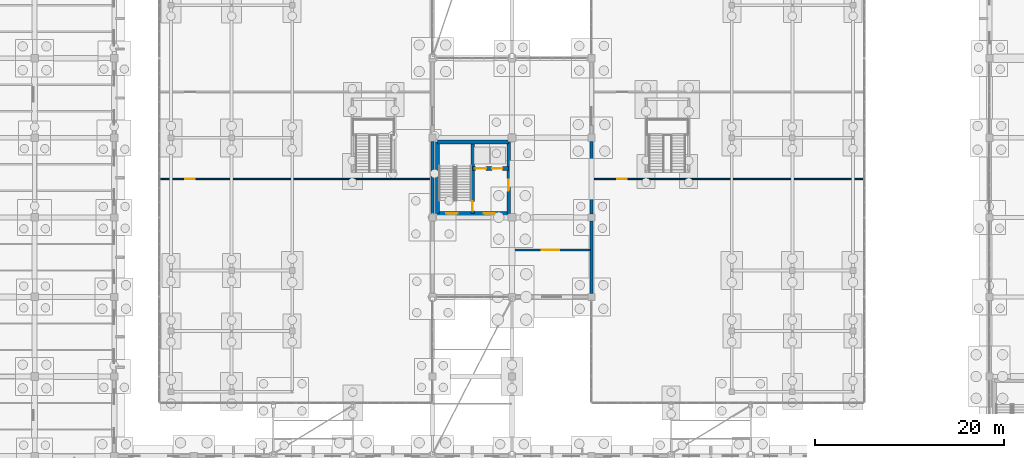
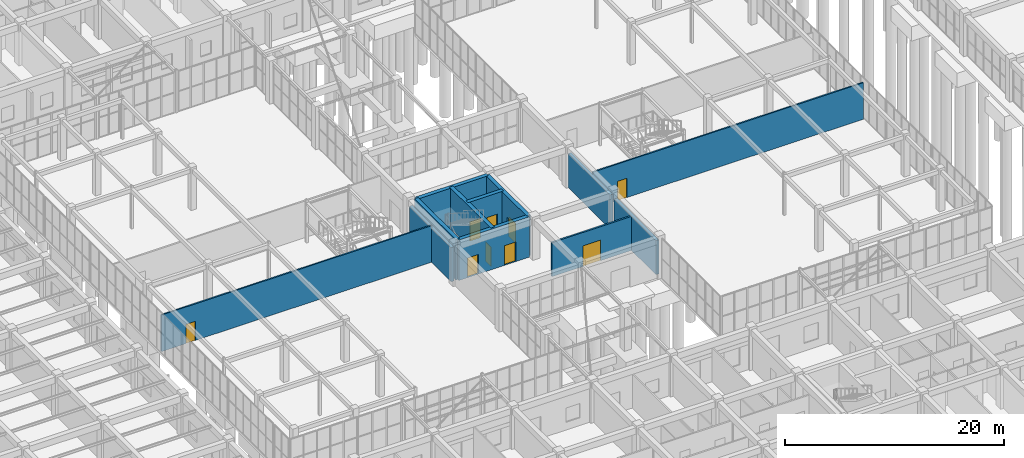
# One storey, part 159 of 192: 12 walls, 9 doors, 9 openings.
"""IFC4 building model written with IfcOpenShell, lengths in metres."""

from ifc_helpers import new_model, si_unit, direction, frame, frame_2d, origin, place, context, subcontext, project, spatial, rectangle, extrude, material, layer, layer_set, type_object, element, fill, save


model = new_model("IFC4")

# Units and contexts
model_context = context("Model", 3, precision=1e-05, world=origin(), true_north=direction((0.0, 1.0)))
body_context = subcontext(model_context, "Body", "Model", "MODEL_VIEW")
ifc_project = project(units=[si_unit("LENGTHUNIT", "METRE"), si_unit("AREAUNIT", "SQUARE_METRE"), si_unit("VOLUMEUNIT", "CUBIC_METRE"), si_unit("PLANEANGLEUNIT", "RADIAN"), si_unit("MASSUNIT", "GRAM", prefix="KILO")], contexts=[model_context])

# Site, building, storey
site_placement = place(None, origin())
site = spatial("IfcSite", under=ifc_project, at=site_placement, CompositionType="ELEMENT")
building_placement = place(site_placement, origin())
building = spatial("IfcBuilding", under=site, at=building_placement, Name="Trelvath General Hospital", CompositionType="ELEMENT")
storey_placement = place(building_placement, origin())
storey = spatial("IfcBuildingStorey", under=building, at=storey_placement, Name="L00", CompositionType="ELEMENT", Elevation=0.0)

# Wall, opening, door
ifc_material_1 = material(Name="Gypsum acoustic steel-stud partition", Category="steel")
ifc_layer_1 = layer(ifc_material_1, 0.14990234375)
ifc_layer_set_1 = layer_set([ifc_layer_1], Name="Gypsum acoustic steel-stud partition")
wall_type_1 = type_object("IfcWallType", Name="ClinicalPartition 150", PredefinedType="PARTITIONING", material=ifc_layer_set_1)
wall_1_placement = place(storey_placement, frame((46.89990234375, 54.449951171875, 0.0), z_axis=(0.0, 0.0, 1.0), x_axis=(1.0, 0.0, 0.0)))
wall_1 = element("IfcWall", 1, at=wall_1_placement, inside=storey, type_object=wall_type_1, Name="Cube Clinic CUBE-W Partition L00-342", PredefinedType="PARTITIONING", context=body_context, shape_type="SweptSolid", body=[
    extrude(rectangle(XDim=28.60009765625, YDim=0.14990234375, at=frame_2d((14.300048828125, 0.0))), origin(), (0.0, 0.0, 1.0), 4.090087890625),
])
opening_1_placement = place(wall_1_placement, frame((2.60009765625, 0.0, 0.0)))
opening_1 = element("IfcOpeningElement", 2, at=opening_1_placement, cuts=wall_1, Name="Opening DC-0-0454", PredefinedType="OPENING", context=body_context, shape_type="SweptSolid", body=[
    extrude(rectangle(XDim=1.0, YDim=2.14990234375, at=frame_2d((0.5, 1.074951171875))), frame((0.0, 0.0849609375, 0.0), z_axis=(0.0, -1.0, 0.0), x_axis=(1.0, 0.0, 0.0)), (0.0, 0.0, 1.0), 0.169921875),
])
ifc_material_2 = material(Name="Acoustic hospital timber leaf", Category="wood")
door_type_1 = type_object("IfcDoorType", Name="Door Consult 1000x2150", OperationType="NOTDEFINED", PredefinedType="DOOR", material=ifc_material_2)
door_1_placement = place(opening_1_placement, origin())
door_1 = element("IfcDoor", 3, at=door_1_placement, inside=storey, type_object=door_type_1, Name="Cube Clinic CUBE-W Door L00-454", OperationType="SINGLE_SWING_LEFT", OverallHeight=2.14990234375, OverallWidth=1.0, PredefinedType="DOOR", context=body_context, shape_type="SweptSolid", body=[
    extrude(rectangle(XDim=1.0, YDim=2.14990234375, at=frame_2d((0.5, 1.074951171875))), frame((0.0, 0.02490234375, 0.0), z_axis=(0.0, -1.0, 0.0), x_axis=(1.0, 0.0, 0.0)), (0.0, 0.0, 1.0), 0.050048828125),
])
fill(opening_1, door_1)

wall_2_placement = place(storey_placement, frame((92.5, 54.449951171875, 0.0), z_axis=(0.0, 0.0, 1.0), x_axis=(1.0, 0.0, 0.0)))
wall_2 = element("IfcWall", 4, at=wall_2_placement, inside=storey, type_object=wall_type_1, Name="Cube Clinic CUBE-E Partition L00-344", PredefinedType="PARTITIONING", context=body_context, shape_type="SweptSolid", body=[
    extrude(rectangle(XDim=28.60009765625, YDim=0.14990234375, at=frame_2d((14.300048828125, 0.0))), origin(), (0.0, 0.0, 1.0), 4.090087890625),
])
opening_2_placement = place(wall_2_placement, frame((2.60009765625, 0.0, 0.0)))
opening_2 = element("IfcOpeningElement", 5, at=opening_2_placement, cuts=wall_2, Name="Opening DC-0-0456", PredefinedType="OPENING", context=body_context, shape_type="SweptSolid", body=[
    extrude(rectangle(XDim=1.0, YDim=2.14990234375, at=frame_2d((0.5, 1.074951171875))), frame((0.0, 0.0849609375, 0.0), z_axis=(0.0, -1.0, 0.0), x_axis=(1.0, 0.0, 0.0)), (0.0, 0.0, 1.0), 0.169921875),
])
door_2_placement = place(opening_2_placement, origin())
door_2 = element("IfcDoor", 6, at=door_2_placement, inside=storey, type_object=door_type_1, Name="Cube Clinic CUBE-E Door L00-456", OperationType="SINGLE_SWING_LEFT", OverallHeight=2.14990234375, OverallWidth=1.0, PredefinedType="DOOR", context=body_context, shape_type="SweptSolid", body=[
    extrude(rectangle(XDim=1.0, YDim=2.14990234375, at=frame_2d((0.5, 1.074951171875))), frame((0.0, 0.02490234375, 0.0), z_axis=(0.0, -1.0, 0.0), x_axis=(1.0, 0.0, 0.0)), (0.0, 0.0, 1.0), 0.050048828125),
])
fill(opening_2, door_2)

# Wall, openings, doors
ifc_material_3 = material(Name="Concrete C40/50", Category="concrete")
ifc_layer_2 = layer(ifc_material_3, 0.39990234375)
ifc_layer_set_2 = layer_set([ifc_layer_2], Name="Concrete C40/50")
wall_type_2 = type_object("IfcWallType", Name="CoreShearWall 400", PredefinedType="SHEAR", material=ifc_layer_set_2)
wall_3_placement = place(storey_placement, frame((76.14990234375, 50.800048828125, 0.0), z_axis=(0.0, 0.0, 1.0), x_axis=(1.0, 0.0, 0.0)))
wall_3 = element("IfcWall", 7, at=wall_3_placement, inside=storey, type_object=wall_type_2, Name="Core Shear Wall C6 S L00", PredefinedType="SHEAR", context=body_context, shape_type="SweptSolid", body=[
    extrude(rectangle(XDim=7.5, YDim=0.39990234375, at=frame_2d((3.75, 0.0))), origin(), (0.0, 0.0, 1.0), 4.52001953125),
])
opening_3_placement = place(wall_3_placement, frame((4.85009765625, 0.0, 0.0)))
opening_3 = element("IfcOpeningElement", 8, at=opening_3_placement, cuts=wall_3, Name="Opening FD-LS60", PredefinedType="OPENING", context=body_context, shape_type="SweptSolid", body=[
    extrude(rectangle(XDim=1.199951171875, YDim=2.199951171875, at=frame_2d((0.60009765625, 1.10009765625))), frame((0.0, 0.2099609375, 0.0), z_axis=(0.0, -1.0, 0.0), x_axis=(1.0, 0.0, 0.0)), (0.0, 0.0, 1.0), 0.419921875),
])
opening_4_placement = place(wall_3_placement, frame((0.89990234375, 0.0, 0.0)))
opening_4 = element("IfcOpeningElement", 9, at=opening_4_placement, cuts=wall_3, Name="Opening FD-EX6", PredefinedType="OPENING", context=body_context, shape_type="SweptSolid", body=[
    extrude(rectangle(XDim=1.199951171875, YDim=2.199951171875, at=frame_2d((0.60009765625, 1.10009765625))), frame((0.0, 0.2099609375, 0.0), z_axis=(0.0, -1.0, 0.0), x_axis=(1.0, 0.0, 0.0)), (0.0, 0.0, 1.0), 0.419921875),
])
ifc_material_4 = material(Name="Fire-rated steel door", Category="steel")
door_type_2 = type_object("IfcDoorType", Name="Door FireLobby 1200x2200", OperationType="NOTDEFINED", PredefinedType="DOOR", material=ifc_material_4)
door_3_placement = place(opening_3_placement, origin())
door_3 = element("IfcDoor", 10, at=door_3_placement, inside=storey, type_object=door_type_2, Name="Fire Lobby South Concourse Door C6 L00", OperationType="SINGLE_SWING_LEFT", OverallHeight=2.199951171875, OverallWidth=1.199951171875, PredefinedType="DOOR", context=body_context, shape_type="SweptSolid", body=[
    extrude(rectangle(XDim=1.199951171875, YDim=2.199951171875, at=frame_2d((0.60009765625, 1.10009765625))), frame((0.0, 0.02490234375, 0.0), z_axis=(0.0, -1.0, 0.0), x_axis=(1.0, 0.0, 0.0)), (0.0, 0.0, 1.0), 0.050048828125),
])
fill(opening_3, door_3)
door_4_placement = place(opening_4_placement, origin())
door_4 = element("IfcDoor", 11, at=door_4_placement, inside=storey, type_object=door_type_2, Name="Exit Stair Discharge Door ST6 L00", OperationType="SINGLE_SWING_RIGHT", OverallHeight=2.199951171875, OverallWidth=1.199951171875, PredefinedType="DOOR", context=body_context, shape_type="SweptSolid", body=[
    extrude(rectangle(XDim=1.199951171875, YDim=2.199951171875, at=frame_2d((0.60009765625, 1.10009765625))), frame((0.0, 0.02490234375, 0.0), z_axis=(0.0, -1.0, 0.0), x_axis=(1.0, 0.0, 0.0)), (0.0, 0.0, 1.0), 0.050048828125),
])
fill(opening_4, door_4)

# Walls
wall_4_placement = place(storey_placement, frame((76.14990234375, 58.35009765625, 0.0), z_axis=(0.0, 0.0, 1.0), x_axis=(1.0, 0.0, 0.0)))
element("IfcWall", 12, at=wall_4_placement, inside=storey, type_object=wall_type_2, Name="Core Shear Wall C6 N L00", PredefinedType="SHEAR", context=body_context, shape_type="SweptSolid", body=[
    extrude(rectangle(XDim=7.5, YDim=0.39990234375, at=frame_2d((3.75, 0.0))), origin(), (0.0, 0.0, 1.0), 4.52001953125),
])
wall_5_placement = place(storey_placement, frame((76.14990234375, 50.800048828125, 0.0), z_axis=(0.0, 0.0, 1.0), x_axis=(0.0, 1.0, 0.0)))
element("IfcWall", 13, at=wall_5_placement, inside=storey, type_object=wall_type_2, Name="Core Shear Wall C6 W L00", PredefinedType="SHEAR", context=body_context, shape_type="SweptSolid", body=[
    extrude(rectangle(XDim=7.550048828125, YDim=0.39990234375, at=frame_2d((3.77490234375, 0.0))), origin(), (0.0, 0.0, 1.0), 4.52001953125),
])

# Wall, opening, door
wall_6_placement = place(storey_placement, frame((83.64990234375, 50.800048828125, 0.0), z_axis=(0.0, 0.0, 1.0), x_axis=(0.0, 1.0, 0.0)))
wall_6 = element("IfcWall", 14, at=wall_6_placement, inside=storey, type_object=wall_type_2, Name="Core Shear Wall C6 E L00", PredefinedType="SHEAR", context=body_context, shape_type="SweptSolid", body=[
    extrude(rectangle(XDim=7.550048828125, YDim=0.39990234375, at=frame_2d((3.77490234375, 0.0))), origin(), (0.0, 0.0, 1.0), 4.52001953125),
])
opening_5_placement = place(wall_6_placement, frame((2.39990234375, 0.0, 0.0)))
opening_5 = element("IfcOpeningElement", 15, at=opening_5_placement, cuts=wall_6, Name="Opening FD-LE60", PredefinedType="OPENING", context=body_context, shape_type="SweptSolid", body=[
    extrude(rectangle(XDim=1.199951171875, YDim=2.199951171875, at=frame_2d((0.60009765625, 1.10009765625))), frame((0.0, 0.2099609375, 0.0), z_axis=(0.0, -1.0, 0.0), x_axis=(1.0, 0.0, 0.0)), (0.0, 0.0, 1.0), 0.419921875),
])
door_5_placement = place(opening_5_placement, origin())
door_5 = element("IfcDoor", 16, at=door_5_placement, inside=storey, type_object=door_type_2, Name="Fire Lobby East Corridor Door C6 L00", OperationType="SINGLE_SWING_RIGHT", OverallHeight=2.199951171875, OverallWidth=1.199951171875, PredefinedType="DOOR", context=body_context, shape_type="SweptSolid", body=[
    extrude(rectangle(XDim=1.199951171875, YDim=2.199951171875, at=frame_2d((0.60009765625, 1.10009765625))), frame((0.0, 0.02490234375, 0.0), z_axis=(0.0, -1.0, 0.0), x_axis=(1.0, 0.0, 0.0)), (0.0, 0.0, 1.0), 0.050048828125),
])
fill(opening_5, door_5)

wall_7_placement = place(storey_placement, frame((79.85009765625, 50.800048828125, 0.0), z_axis=(0.0, 0.0, 1.0), x_axis=(0.0, 1.0, 0.0)))
wall_7 = element("IfcWall", 17, at=wall_7_placement, inside=storey, type_object=wall_type_2, Name="Core Shear Wall C6 SPINE L00", PredefinedType="SHEAR", context=body_context, shape_type="SweptSolid", body=[
    extrude(rectangle(XDim=7.550048828125, YDim=0.39990234375, at=frame_2d((3.77490234375, 0.0))), origin(), (0.0, 0.0, 1.0), 4.52001953125),
])
opening_6_placement = place(wall_7_placement, frame((0.280029296875, 0.0, 0.0)))
opening_6 = element("IfcOpeningElement", 18, at=opening_6_placement, cuts=wall_7, Name="Opening FD-S60", PredefinedType="OPENING", context=body_context, shape_type="SweptSolid", body=[
    extrude(rectangle(XDim=1.0, YDim=2.14990234375, at=frame_2d((0.5, 1.074951171875))), frame((0.0, 0.2099609375, 0.0), z_axis=(0.0, -1.0, 0.0), x_axis=(1.0, 0.0, 0.0)), (0.0, 0.0, 1.0), 0.419921875),
])
ifc_material_5 = material(Name="Fire-rated steel door", Category="steel")
door_type_3 = type_object("IfcDoorType", Name="Door FireStair 1100x2150", OperationType="NOTDEFINED", PredefinedType="DOOR", material=ifc_material_5)
door_6_placement = place(opening_6_placement, origin())
door_6 = element("IfcDoor", 19, at=door_6_placement, inside=storey, type_object=door_type_3, Name="Exit Stair Door ST6 L00", OperationType="SINGLE_SWING_RIGHT", OverallHeight=2.14990234375, OverallWidth=1.0, PredefinedType="DOOR", context=body_context, shape_type="SweptSolid", body=[
    extrude(rectangle(XDim=1.0, YDim=2.14990234375, at=frame_2d((0.5, 1.074951171875))), frame((0.0, 0.02490234375, 0.0), z_axis=(0.0, -1.0, 0.0), x_axis=(1.0, 0.0, 0.0)), (0.0, 0.0, 1.0), 0.050048828125),
])
fill(opening_6, door_6)

# Wall, openings, doors
wall_8_placement = place(storey_placement, frame((79.85009765625, 55.550048828125, 0.0), z_axis=(0.0, 0.0, 1.0), x_axis=(1.0, 0.0, 0.0)))
wall_8 = element("IfcWall", 20, at=wall_8_placement, inside=storey, type_object=wall_type_2, Name="Core Shear Wall C6 SHAFT L00", PredefinedType="SHEAR", context=body_context, shape_type="SweptSolid", body=[
    extrude(rectangle(XDim=3.7998046875, YDim=0.39990234375, at=frame_2d((1.89990234375, 0.0))), origin(), (0.0, 0.0, 1.0), 4.52001953125),
])
opening_7_placement = place(wall_8_placement, frame((0.320068359375, 0.0, 0.0)))
opening_7 = element("IfcOpeningElement", 21, at=opening_7_placement, cuts=wall_8, Name="Opening LD-PA3-0", PredefinedType="OPENING", context=body_context, shape_type="SweptSolid", body=[
    extrude(rectangle(XDim=1.10009765625, YDim=2.14990234375, at=frame_2d((0.550048828125, 1.074951171875))), frame((0.0, 0.2099609375, 0.0), z_axis=(0.0, -1.0, 0.0), x_axis=(1.0, 0.0, 0.0)), (0.0, 0.0, 1.0), 0.419921875),
])
opening_8_placement = place(wall_8_placement, frame((2.0400390625, 0.0, 0.0)))
opening_8 = element("IfcOpeningElement", 22, at=opening_8_placement, cuts=wall_8, Name="Opening LD-PA4-0", PredefinedType="OPENING", context=body_context, shape_type="SweptSolid", body=[
    extrude(rectangle(XDim=1.10009765625, YDim=2.14990234375, at=frame_2d((0.550048828125, 1.074951171875))), frame((0.0, 0.2099609375, 0.0), z_axis=(0.0, -1.0, 0.0), x_axis=(1.0, 0.0, 0.0)), (0.0, 0.0, 1.0), 0.419921875),
])
ifc_material_6 = material(Name="Stainless steel lift landing sliding door", Category="steel")
door_type_4 = type_object("IfcDoorType", Name="Door LiftLanding 1100x2150", OperationType="SLIDING_TO_LEFT", PredefinedType="DOOR", material=ifc_material_6)
door_7_placement = place(opening_7_placement, origin())
door_7 = element("IfcDoor", 23, at=door_7_placement, inside=storey, type_object=door_type_4, Name="Lift Landing Sliding Door LF-PA3 L00", OperationType="SLIDING_TO_LEFT", OverallHeight=2.14990234375, OverallWidth=1.10009765625, PredefinedType="DOOR", context=body_context, shape_type="SweptSolid", body=[
    extrude(rectangle(XDim=1.10009765625, YDim=2.14990234375, at=frame_2d((0.550048828125, 1.074951171875))), frame((0.0, 0.02490234375, 0.0), z_axis=(0.0, -1.0, 0.0), x_axis=(1.0, 0.0, 0.0)), (0.0, 0.0, 1.0), 0.050048828125),
])
fill(opening_7, door_7)
door_8_placement = place(opening_8_placement, origin())
door_8 = element("IfcDoor", 24, at=door_8_placement, inside=storey, type_object=door_type_4, Name="Lift Landing Sliding Door LF-PA4 L00", OperationType="SLIDING_TO_LEFT", OverallHeight=2.14990234375, OverallWidth=1.10009765625, PredefinedType="DOOR", context=body_context, shape_type="SweptSolid", body=[
    extrude(rectangle(XDim=1.10009765625, YDim=2.14990234375, at=frame_2d((0.550048828125, 1.074951171875))), frame((0.0, 0.02490234375, 0.0), z_axis=(0.0, -1.0, 0.0), x_axis=(1.0, 0.0, 0.0)), (0.0, 0.0, 1.0), 0.050048828125),
])
fill(opening_8, door_8)

# Walls
ifc_material_7 = material(Name="Concrete C35/45", Category="concrete")
ifc_layer_3 = layer(ifc_material_7, 0.320068359375)
ifc_layer_set_3 = layer_set([ifc_layer_3], Name="Concrete C35/45")
wall_type_3 = type_object("IfcWallType", Name="ExtThermalWall 320", PredefinedType="SOLIDWALL", material=ifc_layer_set_3)
wall_9_placement = place(storey_placement, frame((75.60009765625, 50.77490234375, 0.0), z_axis=(0.0, 0.0, 1.0), x_axis=(0.0, 1.0, 0.0)))
element("IfcWall", 25, at=wall_9_placement, inside=storey, type_object=wall_type_3, Name="Exterior Concrete Wall L00-52", PredefinedType="SOLIDWALL", context=body_context, shape_type="SweptSolid", body=[
    extrude(rectangle(XDim=7.650146484375, YDim=0.320068359375, at=frame_2d((3.8251953125, 0.0))), origin(), (0.0, 0.0, 1.0), 3.820068359375),
])
wall_10_placement = place(storey_placement, frame((92.39990234375, 50.02490234375, 0.0), z_axis=(0.0, 0.0, 1.0), x_axis=(0.0, -1.0, 0.0)))
element("IfcWall", 26, at=wall_10_placement, inside=storey, type_object=wall_type_3, Name="Exterior Concrete Wall L00-59", PredefinedType="SOLIDWALL", context=body_context, shape_type="SweptSolid", body=[
    extrude(rectangle(XDim=7.64990234375, YDim=0.320068359375, at=frame_2d((3.824951171875, 0.0))), origin(), (0.0, 0.0, 1.0), 3.820068359375),
])
wall_11_placement = place(storey_placement, frame((92.39990234375, 58.425048828125, 0.0), z_axis=(0.0, 0.0, 1.0), x_axis=(0.0, -1.0, 0.0)))
element("IfcWall", 27, at=wall_11_placement, inside=storey, type_object=wall_type_3, Name="Exterior Concrete Wall L00-60", PredefinedType="SOLIDWALL", context=body_context, shape_type="SweptSolid", body=[
    extrude(rectangle(XDim=7.650146484375, YDim=0.320068359375, at=frame_2d((3.8251953125, 0.0))), origin(), (0.0, 0.0, 1.0), 3.820068359375),
])

# Wall, opening, door
ifc_material_8 = material(Name="Masonry fire blockwork", Category="masonry")
ifc_layer_4 = layer(ifc_material_8, 0.179931640625)
ifc_layer_set_4 = layer_set([ifc_layer_4], Name="Masonry fire blockwork")
wall_type_4 = type_object("IfcWallType", Name="SmokeBarrierWall 180", PredefinedType="PARTITIONING", material=ifc_layer_set_4)
wall_12_placement = place(storey_placement, frame((83.860107421875, 46.949951171875, 0.0), z_axis=(0.0, 0.0, 1.0), x_axis=(1.0, 0.0, 0.0)))
wall_12 = element("IfcWall", 28, at=wall_12_placement, inside=storey, type_object=wall_type_4, Name="Exit Vestibule ST6 Partition L00-336", PredefinedType="PARTITIONING", context=body_context, shape_type="SweptSolid", body=[
    extrude(rectangle(XDim=8.39990234375, YDim=0.179931640625, at=frame_2d((4.199951171875, 0.0))), origin(), (0.0, 0.0, 1.0), 3.800048828125),
])
opening_9_placement = place(wall_12_placement, frame((3.27490234375, 0.0, 0.0)))
opening_9 = element("IfcOpeningElement", 29, at=opening_9_placement, cuts=wall_12, Name="Opening FD-0-0453", PredefinedType="OPENING", context=body_context, shape_type="SweptSolid", body=[
    extrude(rectangle(XDim=1.85009765625, YDim=2.300048828125, at=frame_2d((0.925048828125, 1.14990234375))), frame((0.0, 0.099853515625, 0.0), z_axis=(0.0, -1.0, 0.0), x_axis=(1.0, 0.0, 0.0)), (0.0, 0.0, 1.0), 0.199951171875),
])
ifc_material_9 = material(Name="Fire-rated steel cross-corridor pair", Category="steel")
door_type_5 = type_object("IfcDoorType", Name="Door SmokeCross 1850x2300", OperationType="DOUBLE_SWING_LEFT", PredefinedType="DOOR", material=ifc_material_9)
door_9_placement = place(opening_9_placement, origin())
door_9 = element("IfcDoor", 30, at=door_9_placement, inside=storey, type_object=door_type_5, Name="Exit Vestibule ST6 Door L00-453", OperationType="DOUBLE_SWING_LEFT", OverallHeight=2.300048828125, OverallWidth=1.85009765625, PredefinedType="DOOR", context=body_context, shape_type="SweptSolid", body=[
    extrude(rectangle(XDim=1.85009765625, YDim=2.300048828125, at=frame_2d((0.925048828125, 1.14990234375))), frame((0.0, 0.02490234375, 0.0), z_axis=(0.0, -1.0, 0.0), x_axis=(1.0, 0.0, 0.0)), (0.0, 0.0, 1.0), 0.050048828125),
])
fill(opening_9, door_9)

save(model, "model.ifc")
